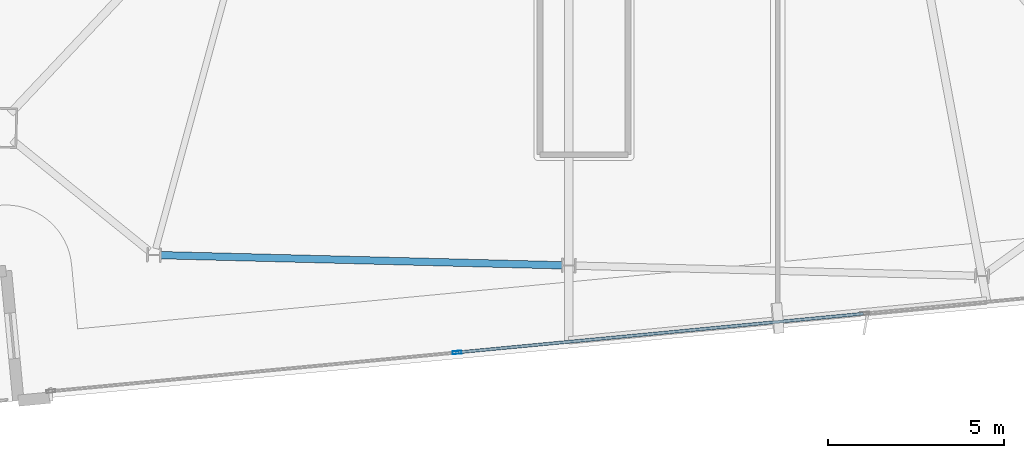
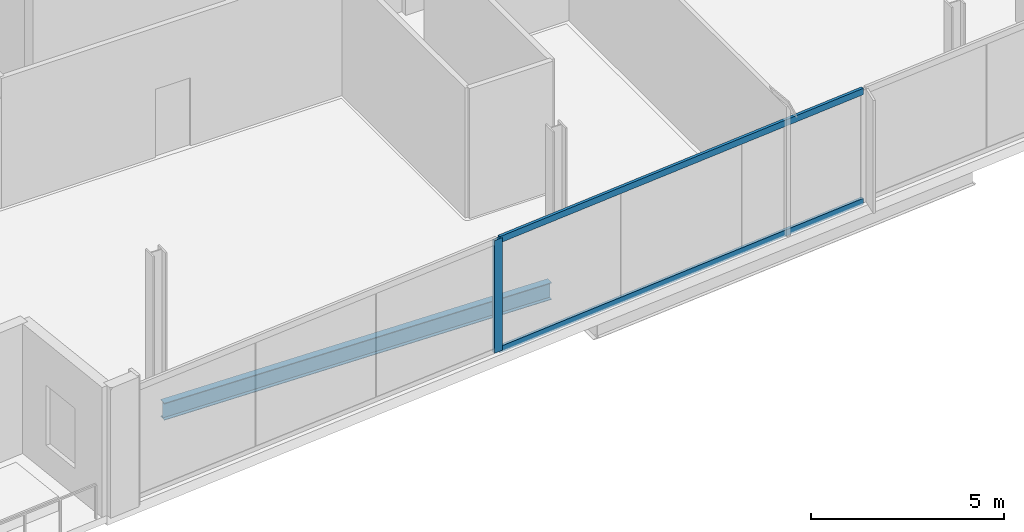
# One storey, part 4 of 24: 3 members, 1 beam, 1 element without a shape of its own.
"""IFC4 building model written with IfcOpenShell, lengths in metres."""

import ifcopenshell
import ifcopenshell.guid

model = None  # the IFC model being written
_history = None  # IfcOwnerHistory: only IFC2X3 demands one
_inside = {}  # id of a spatial element -> (the spatial element, [elements in it])
_under = {}  # id of a project, library or spatial element -> (it, [spatial elements below it])
_declared = {}  # id of a project -> (the project, [libraries it declares])
_typed = {}  # id of a type object -> (the type object, [elements of that type])
_made_of = {}  # id of a material, layer set ... -> (it, [elements and type objects made of it])


def new_model(schema):
    """Start an empty IFC model of exactly this schema.

    Asked for "IFC4X3", IfcOpenShell would pick the latest addendum, in which some entities
    have other attributes; the version numbers below select the first issue.
    IFC2X3 requires an IfcOwnerHistory on every rooted entity: one is made here for all.
    """
    global model, _history
    if schema == "IFC4X3":
        model = ifcopenshell.file(schema_version=(4, 3, 0, 0))
    else:
        model = ifcopenshell.file(schema=schema)
    _inside.clear()
    _under.clear()
    _declared.clear()
    _typed.clear()
    _made_of.clear()
    _history = None
    if model.schema == "IFC2X3":
        org = make("IfcOrganization", Name="unknown")
        user = make(
            "IfcPersonAndOrganization",
            ThePerson=make("IfcPerson", FamilyName="unknown"),
            TheOrganization=org,
        )
        app = make(
            "IfcApplication",
            ApplicationDeveloper=org,
            Version="unknown",
            ApplicationFullName="unknown",
            ApplicationIdentifier="unknown",
        )
        _history = make(
            "IfcOwnerHistory",
            OwningUser=user,
            OwningApplication=app,
            ChangeAction="ADDED",
            CreationDate=0,
        )
    return model


def make(cls, **values):
    """One entity of the class cls with the attributes given. An attribute that is None is left unset."""
    return model.create_entity(
        cls, **{name: value for name, value in values.items() if value is not None}
    )


def rooted(cls, **values):
    """An entity with a GlobalId (a new one), such as an element, a storey or a relation."""
    return make(cls, GlobalId=ifcopenshell.guid.new(), OwnerHistory=_history, **values)


def si_unit(unit_type, name, prefix=None):
    """IfcSIUnit, for example si_unit("LENGTHUNIT", "METRE", prefix="MILLI")."""
    return make("IfcSIUnit", UnitType=unit_type, Prefix=prefix, Name=name)


def assignment(units):
    """IfcUnitAssignment: the units of a project."""
    return None if units is None else make("IfcUnitAssignment", Units=units)


def point(xyz):
    """IfcCartesianPoint."""
    return None if xyz is None else make("IfcCartesianPoint", Coordinates=xyz)


def direction(xyz):
    """IfcDirection."""
    return None if xyz is None else make("IfcDirection", DirectionRatios=xyz)


def frame(location, z_axis=None, x_axis=None):
    """IfcAxis2Placement3D, a coordinate frame: its origin and axes. An axis left out is left unset."""
    return make(
        "IfcAxis2Placement3D",
        Location=point(location),
        Axis=direction(z_axis),
        RefDirection=direction(x_axis),
    )


def frame_2d(location, x_axis=None):
    """IfcAxis2Placement2D, a coordinate frame in the plane: its origin and x axis."""
    return make(
        "IfcAxis2Placement2D", Location=point(location), RefDirection=direction(x_axis)
    )


def origin():
    """The frame at (0, 0, 0) with its axes left unset."""
    return frame((0.0, 0.0, 0.0))


def origin_2d():
    """The frame at (0, 0) in the plane with its x axis left unset."""
    return frame_2d((0.0, 0.0))


def place(relative_to, where):
    """IfcLocalPlacement: puts the frame where relative to a parent placement (None: the world)."""
    return make(
        "IfcLocalPlacement", PlacementRelTo=relative_to, RelativePlacement=where
    )


def context(
    kind, dimensions, precision=None, world=None, true_north=None, identifier=None
):
    """IfcGeometricRepresentationContext, for example the 3D "Model" context."""
    return make(
        "IfcGeometricRepresentationContext",
        ContextIdentifier=identifier,
        ContextType=kind,
        CoordinateSpaceDimension=dimensions,
        Precision=precision,
        WorldCoordinateSystem=world,
        TrueNorth=true_north,
    )


def subcontext(parent, identifier, kind, view, scale=None):
    """IfcGeometricRepresentationSubContext, for example "Body" below "Model"."""
    return make(
        "IfcGeometricRepresentationSubContext",
        ContextIdentifier=identifier,
        ContextType=kind,
        ParentContext=parent,
        TargetScale=scale,
        TargetView=view,
    )


def project(units=None, contexts=None):
    """IfcProject with its units and contexts."""
    return rooted(
        "IfcProject",
        Name="project",
        RepresentationContexts=contexts,
        UnitsInContext=assignment(units),
    )


def spatial(cls, under=None, at=None, **own):
    """A site, building, storey or space (cls), placed at a placement, below another one or the project."""
    s = rooted(cls, ObjectPlacement=at, **own)
    if under is not None:
        _under.setdefault(under.id(), (under, []))[1].append(s)
    return s


def profile(cls, at=None, kind="AREA", **sizes):
    """A parametric profile (cls). Its sizes go by their IFC names, for example OverallWidth=200.0."""
    return make(cls, ProfileType=kind, Position=at, **sizes)


def hollow_rectangle(**sizes):
    """IfcRectangleHollowProfileDef."""
    return profile("IfcRectangleHollowProfileDef", **sizes)


def i_section(**sizes):
    """IfcIShapeProfileDef."""
    return profile("IfcIShapeProfileDef", **sizes)


def extrude(swept, where, along, depth):
    """IfcExtrudedAreaSolid: the profile swept, set in the frame where, extruded along a direction by depth."""
    return make(
        "IfcExtrudedAreaSolid",
        SweptArea=swept,
        Position=where,
        ExtrudedDirection=direction(along),
        Depth=depth,
    )


def shape(context_of_items, identifier, shape_type, items):
    """IfcShapeRepresentation: the items that make up one representation, for example the "Body"."""
    return make(
        "IfcShapeRepresentation",
        ContextOfItems=context_of_items,
        RepresentationIdentifier=identifier,
        RepresentationType=shape_type,
        Items=items,
    )


def material(Name=None, Category=None):
    """IfcMaterial."""
    return make("IfcMaterial", Name=Name, Category=Category)


def material_profile(
    of_material, cross_section, Name=None, Category=None, Priority=None
):
    """IfcMaterialProfile: a cross section and its material."""
    return make(
        "IfcMaterialProfile",
        Name=Name,
        Material=of_material,
        Profile=cross_section,
        Priority=Priority,
        Category=Category,
    )


def profile_set(profiles, Name=None, composite=None):
    """IfcMaterialProfileSet."""
    return make(
        "IfcMaterialProfileSet",
        Name=Name,
        MaterialProfiles=profiles,
        CompositeProfile=composite,
    )


def made_of(thing, what):
    """Note that an element or type object is made of a material, layer set ...; save() writes the relation."""
    if what is not None:
        _made_of.setdefault(what.id(), (what, []))[1].append(thing)
    return thing


def type_object(cls, material=None, **own):
    """A type object (cls), such as IfcWallType, which elements share."""
    return made_of(rooted(cls, **own), material)


def element(
    cls,
    number,
    at=None,
    inside=None,
    cuts=None,
    type_object=None,
    material=None,
    context=None,
    identifier="Body",
    shape_type=None,
    held_by="IfcProductDefinitionShape",
    body=None,
    shapes=None,
    **own,
):
    """One element of the class cls, such as IfcWall. Its Tag is "e" and its number.

    at: its placement. inside: the storey or other place that contains it. cuts: it is an
    opening in that element (IfcRelVoidsElement). A single representation is given by context,
    identifier, shape_type and body (its items); several are given by shapes. held_by: the class
    of the entity that holds the representations. save() writes the other relations.
    """
    e = rooted(cls, Tag="e%d" % number, ObjectPlacement=at, **own)
    if body is not None:
        shapes = [shape(context, identifier, shape_type, body)]
    if shapes is not None:
        e.Representation = make(held_by, Representations=shapes)
    if inside is not None:
        _inside.setdefault(inside.id(), (inside, []))[1].append(e)
    if cuts is not None:
        rooted(
            "IfcRelVoidsElement", RelatingBuildingElement=cuts, RelatedOpeningElement=e
        )
    if type_object is not None:
        _typed.setdefault(type_object.id(), (type_object, []))[1].append(e)
    return made_of(e, material)


def aggregate(whole, parts):
    """IfcRelAggregates: a whole, such as a stair, and the parts it consists of."""
    return rooted("IfcRelAggregates", RelatingObject=whole, RelatedObjects=parts)


def save(model, path):
    """Write the relations noted so far, then the file.

    IfcRelAggregates (storeys below a building ...), IfcRelContainedInSpatialStructure (elements
    in a storey), IfcRelDefinesByType, IfcRelAssociatesMaterial and IfcRelDeclares: one each for
    every whole, place, type object, material and project.
    """
    for whole, parts in _under.values():
        aggregate(whole, parts)
    for where, things in _inside.values():
        rooted(
            "IfcRelContainedInSpatialStructure",
            RelatedElements=things,
            RelatingStructure=where,
        )
    for kind, things in _typed.values():
        rooted("IfcRelDefinesByType", RelatedObjects=things, RelatingType=kind)
    for what, things in _made_of.values():
        rooted("IfcRelAssociatesMaterial", RelatedObjects=things, RelatingMaterial=what)
    for by, libraries in _declared.values():
        rooted("IfcRelDeclares", RelatingContext=by, RelatedDefinitions=libraries)
    model.write(path)


model = new_model("IFC4")

# Units and contexts
model_context = context("Model", 3, precision=1e-05, world=origin(), true_north=direction((0.0, 1.0)))
body_context = subcontext(model_context, "Body", "Model", "MODEL_VIEW")
ifc_project = project(units=[si_unit("LENGTHUNIT", "METRE"), si_unit("AREAUNIT", "SQUARE_METRE"), si_unit("VOLUMEUNIT", "CUBIC_METRE"), si_unit("PLANEANGLEUNIT", "RADIAN"), si_unit("MASSUNIT", "GRAM", prefix="KILO")], contexts=[model_context])

# Site, building, storey
site_placement = place(None, origin())
site = spatial("IfcSite", under=ifc_project, at=site_placement, CompositionType="ELEMENT")
building_placement = place(site_placement, origin())
building = spatial("IfcBuilding", under=site, at=building_placement, Name="Haldenkirk Collegiate Tower", CompositionType="ELEMENT")
storey_placement = place(building_placement, frame((0.0, 0.0, 347.699951171875)))
storey = spatial("IfcBuildingStorey", under=building, at=storey_placement, Name="L88", CompositionType="ELEMENT", Elevation=347.699951171875)

# Beam
ifc_material_1 = material(Name="Steel ASTM A992 Grade 50", Category="steel")
ifc_material_profile_1 = material_profile(ifc_material_1, i_section(OverallWidth=0.2099609375, OverallDepth=0.537109375, WebThickness=0.010986328125, FlangeThickness=0.017333984375, at=origin_2d()), Name="W21X68")
ifc_profile_set_1 = profile_set([ifc_material_profile_1], Name="Steel ASTM A992 Grade 50")
beam_type = type_object("IfcBeamType", Name="BM-SPANDREL-W21X68", PredefinedType="SPANDREL", material=ifc_profile_set_1)
beam_placement = place(storey_placement, frame((23.984375, 6.247802734375, -0.58837890625), z_axis=(0.99967950041, -0.02531593293, 0.0), x_axis=(0.02531593293, 0.99967950041, 0.0)))
element("IfcBeam", 1, at=beam_placement, inside=storey, type_object=beam_type, Name="L88 perimeter spandrel beam 14", PredefinedType="SPANDREL", context=body_context, shape_type="SweptSolid", body=[
    extrude(i_section(OverallWidth=0.2099609375, OverallDepth=0.537109375, WebThickness=0.010986328125, FlangeThickness=0.017333984375, at=origin_2d()), origin(), (0.0, 0.0, 1.0), 11.39892578125),
])

# Curtain wall, members
ifc_material_2 = material(Name="Anodised architectural bronze aluminium", Category="aluminium")
curtain_wall_type = type_object("IfcCurtainWallType", Name="CW-SYS1B-CONVEX-HI", PredefinedType="USERDEFINED", material=ifc_material_2)
curtain_wall_placement = place(storey_placement, origin())
curtain_wall = element("IfcCurtainWall", 2, at=curtain_wall_placement, inside=storey, type_object=curtain_wall_type, Name="L88 Upper tower high-wind convex bronze unitised curtain wall", ObjectType="UNITISED CURTAIN WALL", PredefinedType="USERDEFINED")
ifc_material_profile_2 = material_profile(ifc_material_2, hollow_rectangle(XDim=0.0849609375, YDim=0.25, WallThickness=0.0048828125, at=origin_2d()), Name="CW-MUL-1B")
ifc_profile_set_2 = profile_set([ifc_material_profile_2], Name="Anodised architectural bronze aluminium")
member_type_1 = type_object("IfcMemberType", Name="CW-MUL-1B", PredefinedType="MULLION", material=ifc_profile_set_2)
member_1_placement = place(storey_placement, frame((32.39697265625, 3.486083984375, 0.0), z_axis=(0.0, 0.0, 1.0), x_axis=(0.094973363212, -0.9954798141, 0.0)))
member_1 = element("IfcMember", 3, at=member_1_placement, type_object=member_type_1, Name="CW-1B mullion 3", PredefinedType="MULLION", context=body_context, shape_type="SweptSolid", body=[
    extrude(hollow_rectangle(XDim=0.0849609375, YDim=0.25, WallThickness=0.0048828125, at=origin_2d()), origin(), (0.0, 0.0, 1.0), 3.55810546875),
])
ifc_material_profile_3 = material_profile(ifc_material_2, hollow_rectangle(XDim=0.0849609375, YDim=0.199951171875, WallThickness=0.0048828125, at=origin_2d()), Name="CW-TRN-1B")
ifc_profile_set_3 = profile_set([ifc_material_profile_3], Name="Anodised architectural bronze aluminium")
member_type_2 = type_object("IfcMemberType", Name="CW-TRN-1B", PredefinedType="USERDEFINED", material=ifc_profile_set_3)
member_2_placement = place(storey_placement, frame((43.92724609375, 4.586181640625, 0.04248046875), z_axis=(-0.995478341704, -0.094988795117, 0.0), x_axis=(0.094988795117, -0.995478341704, 0.0)))
member_2 = element("IfcMember", 4, at=member_2_placement, type_object=member_type_2, Name="CW-1B transom 2.1", ObjectType="TRANSOM", PredefinedType="USERDEFINED", context=body_context, shape_type="SweptSolid", body=[
    extrude(hollow_rectangle(XDim=0.0849609375, YDim=0.199951171875, WallThickness=0.0048828125, at=origin_2d()), origin(), (0.0, 0.0, 1.0), 11.540283203125),
])
member_3_placement = place(storey_placement, frame((43.92724609375, 4.586181640625, 3.515625), z_axis=(-0.995478341704, -0.094988795117, 0.0), x_axis=(0.094988795117, -0.995478341704, 0.0)))
member_3 = element("IfcMember", 5, at=member_3_placement, type_object=member_type_2, Name="CW-1B transom 2.2", ObjectType="TRANSOM", PredefinedType="USERDEFINED", context=body_context, shape_type="SweptSolid", body=[
    extrude(hollow_rectangle(XDim=0.0849609375, YDim=0.199951171875, WallThickness=0.0048828125, at=origin_2d()), origin(), (0.0, 0.0, 1.0), 11.540283203125),
])
aggregate(curtain_wall, [member_1, member_2, member_3])

save(model, "model.ifc")
